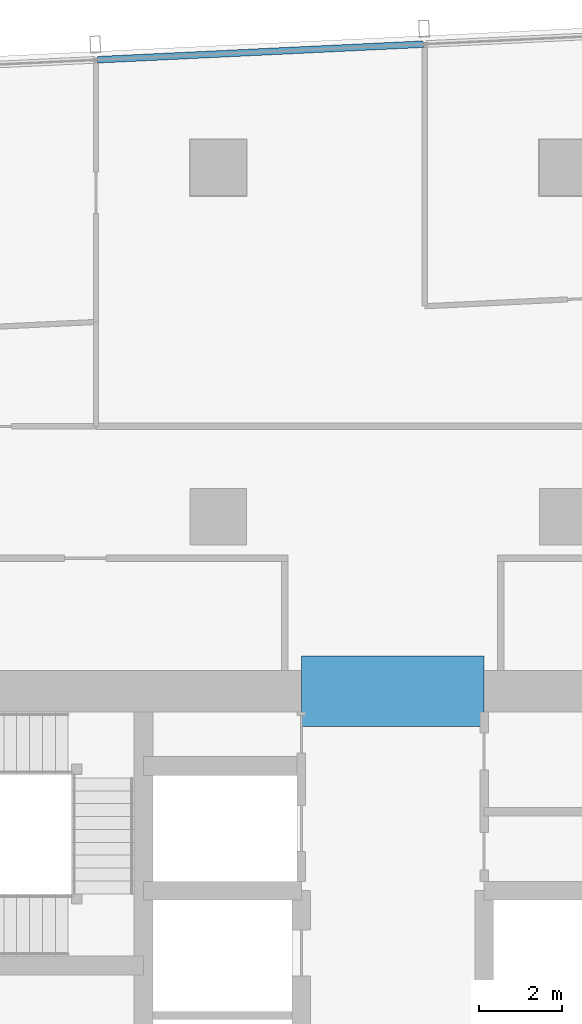
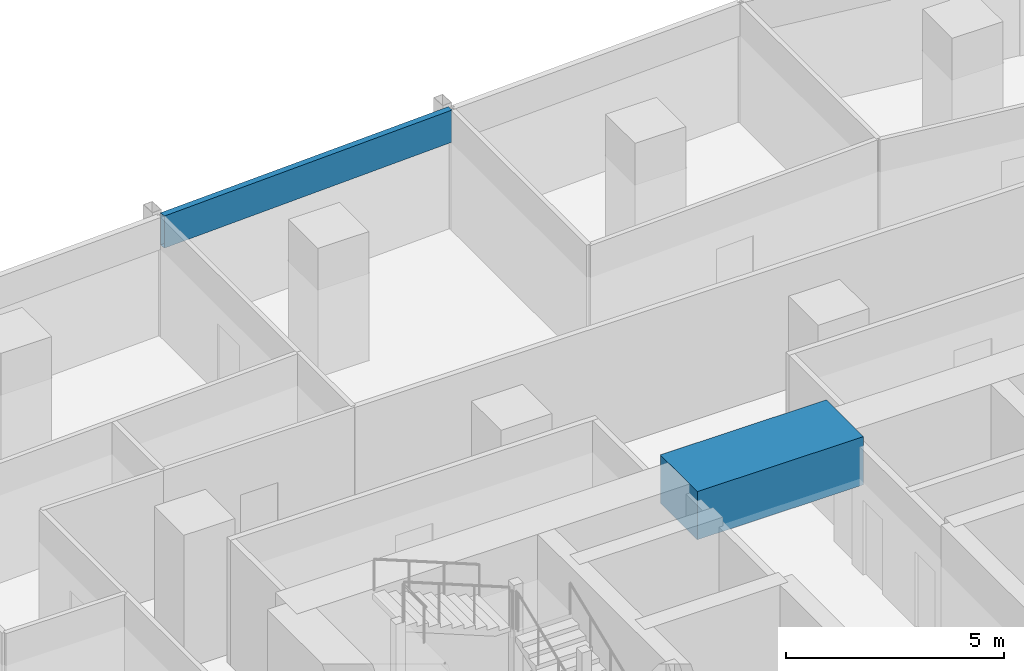
# One storey, part 19 of 39: 1 beam, 1 member, 1 element without a shape of its own.
"""IFC4 building model written with IfcOpenShell, lengths in metres."""

from ifc_helpers import new_model, si_unit, direction, frame, origin, origin_2d, place, context, subcontext, project, spatial, rectangle, hollow_rectangle, extrude, material, material_profile, profile_set, type_object, element, aggregate, save


model = new_model("IFC4")

# Units and contexts
model_context = context("Model", 3, precision=1e-05, world=origin(), true_north=direction((0.0, 1.0)))
body_context = subcontext(model_context, "Body", "Model", "MODEL_VIEW")
ifc_project = project(units=[si_unit("LENGTHUNIT", "METRE"), si_unit("AREAUNIT", "SQUARE_METRE"), si_unit("VOLUMEUNIT", "CUBIC_METRE"), si_unit("PLANEANGLEUNIT", "RADIAN"), si_unit("MASSUNIT", "GRAM", prefix="KILO")], contexts=[model_context])

# Site, building, storey
site_placement = place(None, origin())
site = spatial("IfcSite", under=ifc_project, at=site_placement, CompositionType="ELEMENT")
building_placement = place(site_placement, origin())
building = spatial("IfcBuilding", under=site, at=building_placement, Name="Rekha Terrace Tower", CompositionType="ELEMENT")
storey_placement = place(building_placement, frame((0.0, 0.0, 221.449951171875)))
storey = spatial("IfcBuildingStorey", under=building, at=storey_placement, Name="L56", CompositionType="ELEMENT", Elevation=221.449951171875)

# Curtain wall, member
ifc_material_1 = material(Name="Aluminium framing", Category="aluminium")
curtain_wall_type = type_object("IfcCurtainWallType", Name="CW3 north unitised glazing", PredefinedType="USERDEFINED", material=ifc_material_1)
curtain_wall_placement = place(storey_placement, origin())
curtain_wall = element("IfcCurtainWall", 1, at=curtain_wall_placement, inside=storey, type_object=curtain_wall_type, Name="CW3 unitised curtain wall", ObjectType="UNITISED CURTAIN WALL", PredefinedType="USERDEFINED")
ifc_material_2 = material(Name="Insulated aluminium spandrel box", Category="aluminium")
ifc_material_profile_1 = material_profile(ifc_material_2, hollow_rectangle(XDim=0.159912109375, YDim=0.89990234375, WallThickness=0.0029296875, at=origin_2d()), Name="AL SPANDREL BOX 160x900")
ifc_profile_set_1 = profile_set([ifc_material_profile_1], Name="Insulated aluminium spandrel box")
member_type = type_object("IfcMemberType", Name="CW3 spandrel transom 160 x 900", PredefinedType="USERDEFINED", material=ifc_profile_set_1)
member_placement = place(storey_placement, frame((38.53515625, 61.76953125, 3.050048828125), z_axis=(-0.998859252362, -0.047751376635, 0.0), x_axis=(0.047751376635, -0.998859252362, 0.0)))
member = element("IfcMember", 2, at=member_placement, type_object=member_type, Name="CW3 spandrel transom 2", ObjectType="TRANSOM", PredefinedType="USERDEFINED", context=body_context, shape_type="SweptSolid", body=[
    extrude(hollow_rectangle(XDim=0.159912109375, YDim=0.89990234375, WallThickness=0.0029296875, at=origin_2d()), origin(), (0.0, 0.0, 1.0), 7.84814453125),
])
aggregate(curtain_wall, [member])

# Beam
ifc_material_3 = material(Name="Concrete M60", Category="concrete")
ifc_material_profile_2 = material_profile(ifc_material_3, rectangle(XDim=1.699951171875, YDim=1.35009765625, at=origin_2d()), Name="RC 1700x1350")
ifc_profile_set_2 = profile_set([ifc_material_profile_2], Name="Concrete M60")
beam_type = type_object("IfcBeamType", Name="LB3A 1700x1350 diagonally reinforced coupling beam", PredefinedType="LINTEL", material=ifc_profile_set_2)
beam_placement = place(storey_placement, frame((35.60009765625, 46.199951171875, 3.074951171875), z_axis=(1.0, 0.0, 0.0), x_axis=(0.0, 1.0, 0.0)))
element("IfcBeam", 3, at=beam_placement, inside=storey, type_object=beam_type, Name="Coupling beam LB3A N L56", PredefinedType="LINTEL", context=body_context, shape_type="SweptSolid", body=[
    extrude(rectangle(XDim=1.699951171875, YDim=1.35009765625, at=origin_2d()), origin(), (0.0, 0.0, 1.0), 4.39990234375),
])

save(model, "model.ifc")
